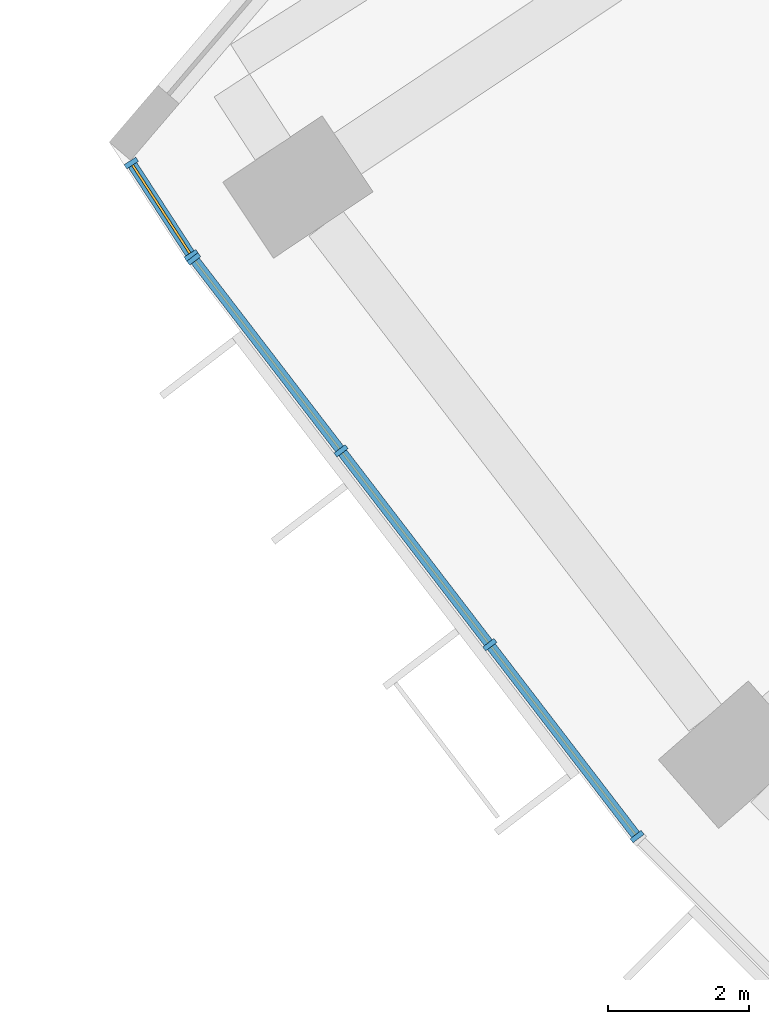
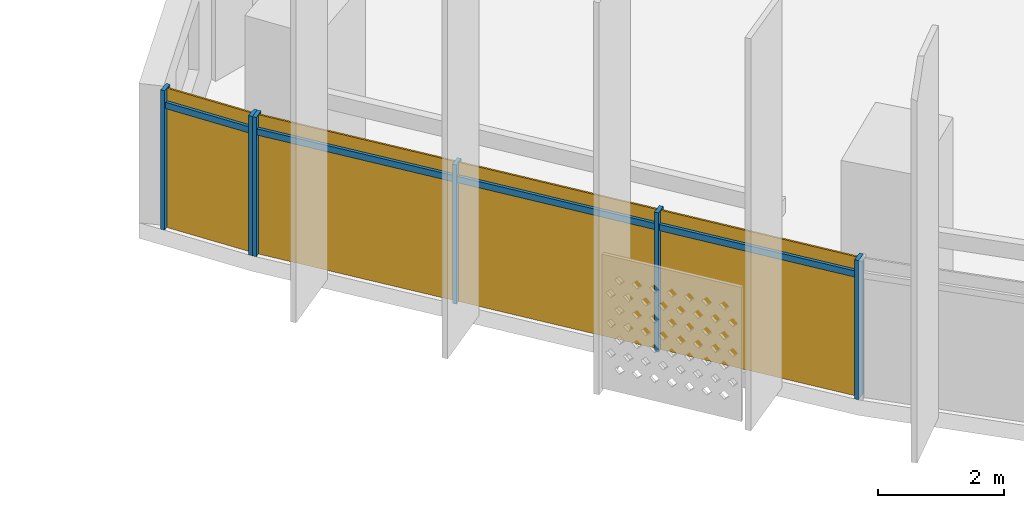
# One storey, part 20 of 31: 10 members, 2 curtain walls.
"""IFC4 building model written with IfcOpenShell, lengths in metres."""

from ifc_helpers import new_model, si_unit, direction, frame, origin, origin_2d, place, context, subcontext, project, spatial, rectangle, extrude, material, material_profile, profile_set, type_object, element, aggregate, save


model = new_model("IFC4")

# Units and contexts
model_context = context("Model", 3, precision=1e-05, world=origin(), true_north=direction((0.0, 1.0)))
body_context = subcontext(model_context, "Body", "Model", "MODEL_VIEW")
ifc_project = project(units=[si_unit("LENGTHUNIT", "METRE"), si_unit("AREAUNIT", "SQUARE_METRE"), si_unit("VOLUMEUNIT", "CUBIC_METRE"), si_unit("PLANEANGLEUNIT", "RADIAN"), si_unit("MASSUNIT", "GRAM", prefix="KILO")], contexts=[model_context])

# Member
ifc_material = material(Name="Aluminium 6063-T6 anodised", Category="aluminium")
ifc_material_profile_1 = material_profile(ifc_material, rectangle(XDim=0.199951171875, YDim=0.070068359375, at=origin_2d()))
ifc_profile_set_1 = profile_set([ifc_material_profile_1], Name="Aluminium 6063-T6 anodised")
member_type_1 = type_object("IfcMemberType", Name="Mullion 70 x 200 aluminium", PredefinedType="MULLION", material=ifc_profile_set_1)
site_placement = place(None, origin())
building_placement = place(site_placement, origin())
storey_placement = place(building_placement, frame((0.0, 0.0, 48.10009765625)))
member_1_placement = place(storey_placement, frame((-67.014404296875, -42.85546875, 0.0), z_axis=(0.0, 0.0, 1.0), x_axis=(0.838446044711, 0.544984614561, 0.0)))
member_1 = element("IfcMember", 1, at=member_1_placement, type_object=member_type_1, Name="e-cw1-L08-out00/M00", PredefinedType="MULLION", context=body_context, shape_type="SweptSolid", body=[
    extrude(rectangle(XDim=0.199951171875, YDim=0.070068359375, at=origin_2d()), origin(), (0.0, 0.0, 1.0), 2.699951171875),
])

member_2_placement = place(storey_placement, frame((-66.161865234375, -44.167236328125, 0.0), z_axis=(0.0, 0.0, 1.0), x_axis=(0.838446044711, 0.544984614561, 0.0)))
member_2 = element("IfcMember", 2, at=member_2_placement, type_object=member_type_1, Name="e-cw1-L08-out00/M01", PredefinedType="MULLION", context=body_context, shape_type="SweptSolid", body=[
    extrude(rectangle(XDim=0.199951171875, YDim=0.070068359375, at=origin_2d()), origin(), (0.0, 0.0, 1.0), 2.699951171875),
])

member_3_placement = place(storey_placement, frame((-66.1259765625, -44.218017578125, 0.0), z_axis=(0.0, 0.0, 1.0), x_axis=(0.793353340291, 0.608761429009, 0.0)))
member_3 = element("IfcMember", 3, at=member_3_placement, type_object=member_type_1, Name="e-cw1-L08-out01/M00", PredefinedType="MULLION", context=body_context, shape_type="SweptSolid", body=[
    extrude(rectangle(XDim=0.199951171875, YDim=0.070068359375, at=origin_2d()), origin(), (0.0, 0.0, 1.0), 2.699951171875),
])

member_4_placement = place(storey_placement, frame((-64.032958984375, -46.945556640625, 0.0), z_axis=(0.0, 0.0, 1.0), x_axis=(0.793353340291, 0.608761429009, 0.0)))
member_4 = element("IfcMember", 4, at=member_4_placement, type_object=member_type_1, Name="e-cw1-L08-out01/M01", PredefinedType="MULLION", context=body_context, shape_type="SweptSolid", body=[
    extrude(rectangle(XDim=0.199951171875, YDim=0.070068359375, at=origin_2d()), origin(), (0.0, 0.0, 1.0), 2.699951171875),
])

member_5_placement = place(storey_placement, frame((-61.9189453125, -49.70068359375, 0.0), z_axis=(0.0, 0.0, 1.0), x_axis=(0.793353340291, 0.608761429009, 0.0)))
member_5 = element("IfcMember", 5, at=member_5_placement, type_object=member_type_1, Name="e-cw1-L08-out01/M02", PredefinedType="MULLION", context=body_context, shape_type="SweptSolid", body=[
    extrude(rectangle(XDim=0.199951171875, YDim=0.070068359375, at=origin_2d()), origin(), (0.0, 0.0, 1.0), 2.699951171875),
])

member_6_placement = place(storey_placement, frame((-59.825927734375, -52.42822265625, 0.0), z_axis=(0.0, 0.0, 1.0), x_axis=(0.793353340291, 0.608761429009, 0.0)))
member_6 = element("IfcMember", 6, at=member_6_placement, type_object=member_type_1, Name="e-cw1-L08-out01/M03", PredefinedType="MULLION", context=body_context, shape_type="SweptSolid", body=[
    extrude(rectangle(XDim=0.199951171875, YDim=0.070068359375, at=origin_2d()), origin(), (0.0, 0.0, 1.0), 2.699951171875),
])

ifc_material_profile_2 = material_profile(ifc_material, rectangle(XDim=0.139892578125, YDim=0.1201171875, at=origin_2d()))
ifc_profile_set_2 = profile_set([ifc_material_profile_2], Name="Aluminium 6063-T6 anodised")
member_type_2 = type_object("IfcMemberType", Name="Transom 120 x 140 aluminium", PredefinedType="USERDEFINED", material=ifc_profile_set_2)
member_7_placement = place(storey_placement, frame((-66.995361328125, -42.885009765625, 2.39990234375), z_axis=(0.54501132019, -0.838428685616, 0.0), x_axis=(0.838428685616, 0.54501132019, 0.0)))
member_7 = element("IfcMember", 7, at=member_7_placement, type_object=member_type_2, Name="e-cw1-L08-out00/T00", ObjectType="TRANSOM", PredefinedType="USERDEFINED", context=body_context, shape_type="SweptSolid", body=[
    extrude(rectangle(XDim=0.139892578125, YDim=0.1201171875, at=origin_2d()), origin(), (0.0, 0.0, 1.0), 1.494384765625),
])

member_8_placement = place(storey_placement, frame((-66.1044921875, -44.245849609375, 2.39990234375), z_axis=(0.608732839803, -0.793375276742, 0.0), x_axis=(0.793375276742, 0.608732839803, 0.0)))
member_8 = element("IfcMember", 8, at=member_8_placement, type_object=member_type_2, Name="e-cw1-L08-out01/T00", ObjectType="TRANSOM", PredefinedType="USERDEFINED", context=body_context, shape_type="SweptSolid", body=[
    extrude(rectangle(XDim=0.139892578125, YDim=0.1201171875, at=origin_2d()), origin(), (0.0, 0.0, 1.0), 3.36767578125),
])

member_9_placement = place(storey_placement, frame((-64.01171875, -46.973388671875, 2.39990234375), z_axis=(0.60875683052, -0.793356868815, 0.0), x_axis=(0.793356868815, 0.60875683052, 0.0)))
member_9 = element("IfcMember", 9, at=member_9_placement, type_object=member_type_2, Name="e-cw1-L08-out01/T01", ObjectType="TRANSOM", PredefinedType="USERDEFINED", context=body_context, shape_type="SweptSolid", body=[
    extrude(rectangle(XDim=0.139892578125, YDim=0.1201171875, at=origin_2d()), origin(), (0.0, 0.0, 1.0), 3.40283203125),
])

member_10_placement = place(storey_placement, frame((-61.8974609375, -49.728515625, 2.39990234375), z_axis=(0.608732839803, -0.793375276742, 0.0), x_axis=(0.793375276742, 0.608732839803, 0.0)))
member_10 = element("IfcMember", 10, at=member_10_placement, type_object=member_type_2, Name="e-cw1-L08-out01/T02", ObjectType="TRANSOM", PredefinedType="USERDEFINED", context=body_context, shape_type="SweptSolid", body=[
    extrude(rectangle(XDim=0.139892578125, YDim=0.1201171875, at=origin_2d()), origin(), (0.0, 0.0, 1.0), 3.36767578125),
])

# Site, building, storey
site = spatial("IfcSite", under=ifc_project, at=site_placement, CompositionType="ELEMENT")
building = spatial("IfcBuilding", under=site, at=building_placement, Name="Qamariyya Broadcast Tower", CompositionType="ELEMENT")
storey = spatial("IfcBuildingStorey", under=building, at=storey_placement, Name="L08", CompositionType="ELEMENT", Elevation=48.10009765625)

# Curtain wall
curtain_wall_type = type_object("IfcCurtainWallType", Name="Unitised curtain wall, anodised aluminium", PredefinedType="NOTDEFINED", material=ifc_material)
curtain_wall_1_placement = place(storey_placement, origin())
curtain_wall_1 = element("IfcCurtainWall", 11, at=curtain_wall_1_placement, inside=storey, type_object=curtain_wall_type, Name="e-cw1-L08-out00", PredefinedType="NOTDEFINED", context=body_context, shape_type="SweptSolid", body=[
    extrude(rectangle(XDim=1.49462890625, YDim=0.031982421875, at=origin_2d()), frame((-66.588134765625, -43.511474609375, 0.0), x_axis=(0.544872845754, -0.838518683131, 0.0)), (0.0, 0.0, 1.0), 2.340087890625),
    extrude(rectangle(XDim=1.49462890625, YDim=0.031982421875, at=origin_2d()), frame((-66.588134765625, -43.511474609375, 2.4599609375), x_axis=(0.544872845754, -0.838518683131, 0.0)), (0.0, 0.0, 1.0), 0.239990234375),
])

aggregate(curtain_wall_1, [member_1, member_2, member_7])

curtain_wall_2_placement = place(storey_placement, origin())
curtain_wall_2 = element("IfcCurtainWall", 12, at=curtain_wall_2_placement, inside=storey, type_object=curtain_wall_type, Name="e-cw1-L08-out01", PredefinedType="NOTDEFINED", context=body_context, shape_type="SweptSolid", body=[
    extrude(rectangle(XDim=3.367919921875, YDim=0.031982421875, at=origin_2d()), frame((-65.07958984375, -45.581787109375, 0.0), x_axis=(0.608755679475, -0.79335775203, 0.0)), (0.0, 0.0, 1.0), 2.340087890625),
    extrude(rectangle(XDim=3.367919921875, YDim=0.031982421875, at=origin_2d()), frame((-65.07958984375, -45.581787109375, 2.4599609375), x_axis=(0.608755679475, -0.79335775203, 0.0)), (0.0, 0.0, 1.0), 0.239990234375),
    extrude(rectangle(XDim=3.40283203125, YDim=0.031982421875, at=origin_2d()), frame((-62.97607421875, -48.3232421875, 0.0), x_axis=(0.608755679475, -0.79335775203, 0.0)), (0.0, 0.0, 1.0), 2.340087890625),
    extrude(rectangle(XDim=3.40283203125, YDim=0.031982421875, at=origin_2d()), frame((-62.97607421875, -48.3232421875, 2.4599609375), x_axis=(0.608755679475, -0.79335775203, 0.0)), (0.0, 0.0, 1.0), 0.239990234375),
    extrude(rectangle(XDim=3.367919921875, YDim=0.031982421875, at=origin_2d()), frame((-60.872314453125, -51.064453125, 0.0), x_axis=(0.608755679475, -0.79335775203, 0.0)), (0.0, 0.0, 1.0), 2.340087890625),
    extrude(rectangle(XDim=3.367919921875, YDim=0.031982421875, at=origin_2d()), frame((-60.872314453125, -51.064453125, 2.4599609375), x_axis=(0.608755679475, -0.79335775203, 0.0)), (0.0, 0.0, 1.0), 0.239990234375),
])

aggregate(curtain_wall_2, [member_3, member_4, member_5, member_6, member_8, member_9, member_10])

save(model, "model.ifc")
